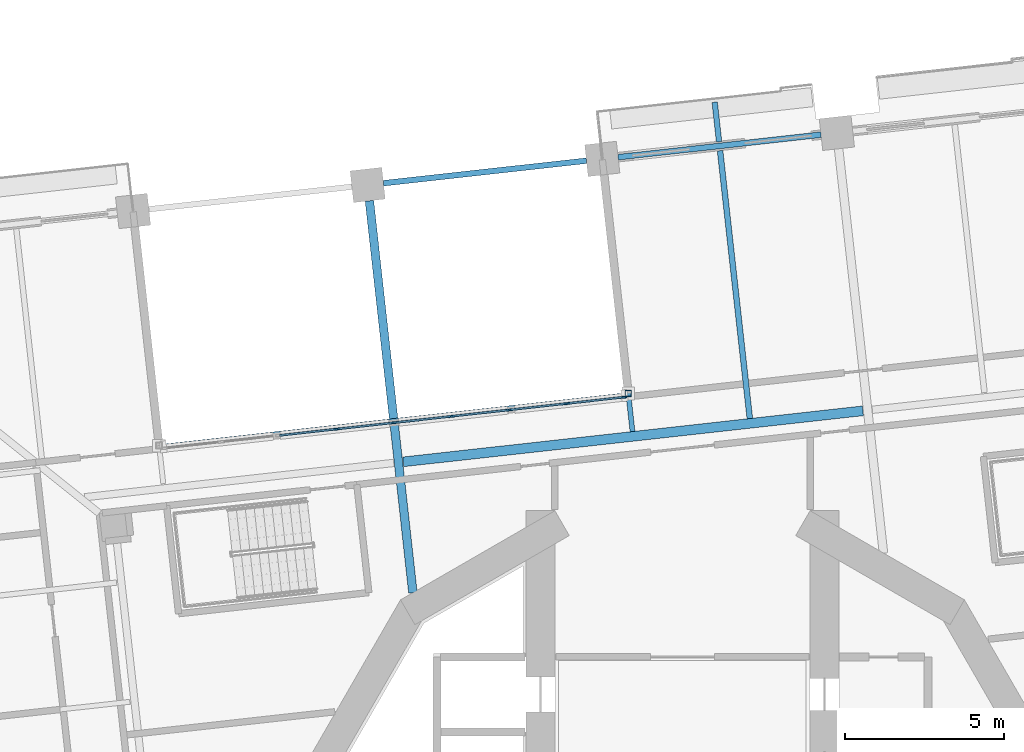
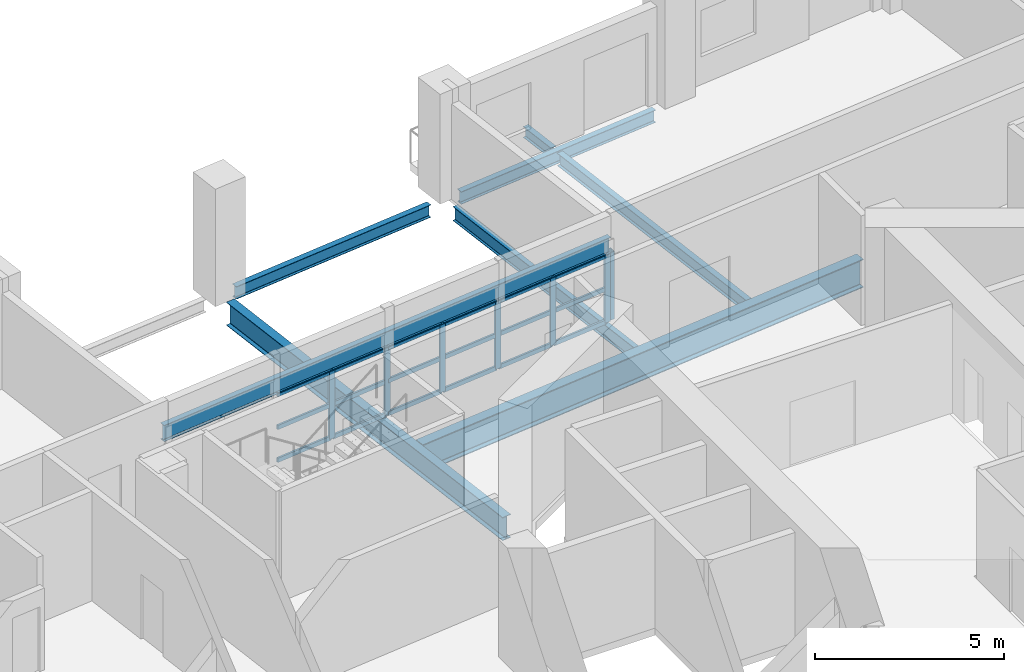
# One storey, part 4 of 21: 25 members, 8 beams, 1 element without a shape of its own.
"""IFC4 building model written with IfcOpenShell, lengths in metres."""

from ifc_helpers import new_model, si_unit, direction, frame, origin, origin_2d, place, context, subcontext, project, spatial, rectangle, hollow_rectangle, i_section, extrude, material, material_profile, profile_set, type_object, element, aggregate, save


model = new_model("IFC4")

# Units and contexts
model_context = context("Model", 3, precision=1e-05, world=origin(), true_north=direction((0.0, 1.0)))
body_context = subcontext(model_context, "Body", "Model", "MODEL_VIEW")
ifc_project = project(units=[si_unit("LENGTHUNIT", "METRE"), si_unit("AREAUNIT", "SQUARE_METRE"), si_unit("VOLUMEUNIT", "CUBIC_METRE"), si_unit("PLANEANGLEUNIT", "RADIAN"), si_unit("MASSUNIT", "GRAM", prefix="KILO")], contexts=[model_context])

# Site, building, storey
site_placement = place(None, origin())
site = spatial("IfcSite", under=ifc_project, at=site_placement, CompositionType="ELEMENT")
building_placement = place(site_placement, origin())
building = spatial("IfcBuilding", under=site, at=building_placement, Name="Cantera Rosa Tower", CompositionType="ELEMENT")
storey_placement = place(building_placement, frame((0.0, 0.0, 61.5)))
storey = spatial("IfcBuildingStorey", under=building, at=storey_placement, Name="L12", CompositionType="ELEMENT", Elevation=61.5)

# Curtain wall, members
ifc_material_1 = material(Name="Aluminium frame with clear glass", Category="aluminium")
curtain_wall_type = type_object("IfcCurtainWallType", Name="CW1 TERRACE POCKET GLAZING", PredefinedType="NOTDEFINED", material=ifc_material_1)
curtain_wall_placement = place(storey_placement, origin())
curtain_wall = element("IfcCurtainWall", 1, at=curtain_wall_placement, inside=storey, type_object=curtain_wall_type, Name="CW1 CW1", PredefinedType="NOTDEFINED")
ifc_material_2 = material(Name="Anodised bronze aluminium", Category="aluminium")
ifc_material_profile_1 = material_profile(ifc_material_2, rectangle(XDim=0.06005859375, YDim=0.179931640625, at=origin_2d()), Name="CW-MULLION 60x180 POCKET")
ifc_profile_set_1 = profile_set([ifc_material_profile_1], Name="Anodised bronze aluminium")
member_type_1 = type_object("IfcMemberType", Name="CW-MULLION 60x180 POCKET", PredefinedType="MULLION", material=ifc_profile_set_1)
member_1_placement = place(storey_placement, frame((-1.841796875, 15.189453125, 0.0), z_axis=(0.0, 0.0, 1.0), x_axis=(0.110312555543, -0.993896946413, 0.0)))
member_1 = element("IfcMember", 2, at=member_1_placement, type_object=member_type_1, Name="CW1 mullion 1", PredefinedType="MULLION", context=body_context, shape_type="SweptSolid", body=[
    extrude(rectangle(XDim=0.06005859375, YDim=0.179931640625, at=origin_2d()), origin(), (0.0, 0.0, 1.0), 2.18603515625),
])
member_2_placement = place(storey_placement, frame((-3.61962890625, 14.9921875, 0.0), z_axis=(0.0, 0.0, 1.0), x_axis=(0.110312555543, -0.993896946413, 0.0)))
member_2 = element("IfcMember", 3, at=member_2_placement, type_object=member_type_1, Name="CW1 mullion 2", PredefinedType="MULLION", context=body_context, shape_type="SweptSolid", body=[
    extrude(rectangle(XDim=0.06005859375, YDim=0.179931640625, at=origin_2d()), origin(), (0.0, 0.0, 1.0), 2.18603515625),
])
member_3_placement = place(storey_placement, frame((-5.42724609375, 14.79150390625, 0.0), z_axis=(0.0, 0.0, 1.0), x_axis=(0.110312555543, -0.993896946413, 0.0)))
member_3 = element("IfcMember", 4, at=member_3_placement, type_object=member_type_1, Name="CW1 mullion 3", PredefinedType="MULLION", context=body_context, shape_type="SweptSolid", body=[
    extrude(rectangle(XDim=0.06005859375, YDim=0.179931640625, at=origin_2d()), origin(), (0.0, 0.0, 1.0), 2.18603515625),
])
member_4_placement = place(storey_placement, frame((-7.23486328125, 14.5908203125, 0.0), z_axis=(0.0, 0.0, 1.0), x_axis=(0.110312555543, -0.993896946413, 0.0)))
member_4 = element("IfcMember", 5, at=member_4_placement, type_object=member_type_1, Name="CW1 mullion 4", PredefinedType="MULLION", context=body_context, shape_type="SweptSolid", body=[
    extrude(rectangle(XDim=0.06005859375, YDim=0.179931640625, at=origin_2d()), origin(), (0.0, 0.0, 1.0), 2.18603515625),
])
member_5_placement = place(storey_placement, frame((-9.042724609375, 14.390380859375, 0.0), z_axis=(0.0, 0.0, 1.0), x_axis=(0.110312555543, -0.993896946413, 0.0)))
member_5 = element("IfcMember", 6, at=member_5_placement, type_object=member_type_1, Name="CW1 mullion 5", PredefinedType="MULLION", context=body_context, shape_type="SweptSolid", body=[
    extrude(rectangle(XDim=0.06005859375, YDim=0.179931640625, at=origin_2d()), origin(), (0.0, 0.0, 1.0), 2.18603515625),
])
member_6_placement = place(storey_placement, frame((-10.850341796875, 14.189697265625, 0.0), z_axis=(0.0, 0.0, 1.0), x_axis=(0.110312555543, -0.993896946413, 0.0)))
member_6 = element("IfcMember", 7, at=member_6_placement, type_object=member_type_1, Name="CW1 mullion 6", PredefinedType="MULLION", context=body_context, shape_type="SweptSolid", body=[
    extrude(rectangle(XDim=0.06005859375, YDim=0.179931640625, at=origin_2d()), origin(), (0.0, 0.0, 1.0), 2.18603515625),
])
ifc_material_3 = material(Name="Anodised bronze aluminium", Category="aluminium")
ifc_material_profile_2 = material_profile(ifc_material_3, rectangle(XDim=0.06005859375, YDim=0.139892578125, at=origin_2d()), Name="CW-TRANSOM 60x140 POCKET")
ifc_profile_set_2 = profile_set([ifc_material_profile_2], Name="Anodised bronze aluminium")
member_type_2 = type_object("IfcMemberType", Name="CW-TRANSOM 60x140 POCKET", PredefinedType="USERDEFINED", material=ifc_profile_set_2)
member_7_placement = place(storey_placement, frame((-1.87158203125, 15.186279296875, 0.030029296875), z_axis=(-0.993899224529, -0.110292028184, 0.0), x_axis=(0.110292028184, -0.993899224529, 0.0)))
member_7 = element("IfcMember", 8, at=member_7_placement, type_object=member_type_2, Name="CW1 transom 1.1", ObjectType="TRANSOM", PredefinedType="USERDEFINED", context=body_context, shape_type="SweptSolid", body=[
    extrude(rectangle(XDim=0.06005859375, YDim=0.139892578125, at=origin_2d()), origin(), (0.0, 0.0, 1.0), 1.728759765625),
])
member_8_placement = place(storey_placement, frame((-1.87158203125, 15.186279296875, 1.093017578125), z_axis=(-0.993899224529, -0.110292028184, 0.0), x_axis=(0.110292028184, -0.993899224529, 0.0)))
member_8 = element("IfcMember", 9, at=member_8_placement, type_object=member_type_2, Name="CW1 transom 1.2", ObjectType="TRANSOM", PredefinedType="USERDEFINED", context=body_context, shape_type="SweptSolid", body=[
    extrude(rectangle(XDim=0.06005859375, YDim=0.139892578125, at=origin_2d()), origin(), (0.0, 0.0, 1.0), 1.728759765625),
])
member_9_placement = place(storey_placement, frame((-1.87158203125, 15.186279296875, 2.156005859375), z_axis=(-0.993899224529, -0.110292028184, 0.0), x_axis=(0.110292028184, -0.993899224529, 0.0)))
member_9 = element("IfcMember", 10, at=member_9_placement, type_object=member_type_2, Name="CW1 transom 1.3", ObjectType="TRANSOM", PredefinedType="USERDEFINED", context=body_context, shape_type="SweptSolid", body=[
    extrude(rectangle(XDim=0.06005859375, YDim=0.139892578125, at=origin_2d()), origin(), (0.0, 0.0, 1.0), 1.728759765625),
])
member_10_placement = place(storey_placement, frame((-3.6494140625, 14.989013671875, 0.030029296875), z_axis=(-0.993892195886, -0.110355348566, 0.0), x_axis=(0.110355348566, -0.993892195886, 0.0)))
member_10 = element("IfcMember", 11, at=member_10_placement, type_object=member_type_2, Name="CW1 transom 2.1", ObjectType="TRANSOM", PredefinedType="USERDEFINED", context=body_context, shape_type="SweptSolid", body=[
    extrude(rectangle(XDim=0.06005859375, YDim=0.139892578125, at=origin_2d()), origin(), (0.0, 0.0, 1.0), 1.7587890625),
])
member_11_placement = place(storey_placement, frame((-3.6494140625, 14.989013671875, 1.093017578125), z_axis=(-0.993892195886, -0.110355348566, 0.0), x_axis=(0.110355348566, -0.993892195886, 0.0)))
member_11 = element("IfcMember", 12, at=member_11_placement, type_object=member_type_2, Name="CW1 transom 2.2", ObjectType="TRANSOM", PredefinedType="USERDEFINED", context=body_context, shape_type="SweptSolid", body=[
    extrude(rectangle(XDim=0.06005859375, YDim=0.139892578125, at=origin_2d()), origin(), (0.0, 0.0, 1.0), 1.7587890625),
])
member_12_placement = place(storey_placement, frame((-3.6494140625, 14.989013671875, 2.156005859375), z_axis=(-0.993892195886, -0.110355348566, 0.0), x_axis=(0.110355348566, -0.993892195886, 0.0)))
member_12 = element("IfcMember", 13, at=member_12_placement, type_object=member_type_2, Name="CW1 transom 2.3", ObjectType="TRANSOM", PredefinedType="USERDEFINED", context=body_context, shape_type="SweptSolid", body=[
    extrude(rectangle(XDim=0.06005859375, YDim=0.139892578125, at=origin_2d()), origin(), (0.0, 0.0, 1.0), 1.7587890625),
])
member_13_placement = place(storey_placement, frame((-5.45703125, 14.788330078125, 0.030029296875), z_axis=(-0.993892195886, -0.110355348566, 0.0), x_axis=(0.110355348566, -0.993892195886, 0.0)))
member_13 = element("IfcMember", 14, at=member_13_placement, type_object=member_type_2, Name="CW1 transom 3.1", ObjectType="TRANSOM", PredefinedType="USERDEFINED", context=body_context, shape_type="SweptSolid", body=[
    extrude(rectangle(XDim=0.06005859375, YDim=0.139892578125, at=origin_2d()), origin(), (0.0, 0.0, 1.0), 1.7587890625),
])
member_14_placement = place(storey_placement, frame((-5.45703125, 14.788330078125, 1.093017578125), z_axis=(-0.993892195886, -0.110355348566, 0.0), x_axis=(0.110355348566, -0.993892195886, 0.0)))
member_14 = element("IfcMember", 15, at=member_14_placement, type_object=member_type_2, Name="CW1 transom 3.2", ObjectType="TRANSOM", PredefinedType="USERDEFINED", context=body_context, shape_type="SweptSolid", body=[
    extrude(rectangle(XDim=0.06005859375, YDim=0.139892578125, at=origin_2d()), origin(), (0.0, 0.0, 1.0), 1.7587890625),
])
member_15_placement = place(storey_placement, frame((-5.45703125, 14.788330078125, 2.156005859375), z_axis=(-0.993892195886, -0.110355348566, 0.0), x_axis=(0.110355348566, -0.993892195886, 0.0)))
member_15 = element("IfcMember", 16, at=member_15_placement, type_object=member_type_2, Name="CW1 transom 3.3", ObjectType="TRANSOM", PredefinedType="USERDEFINED", context=body_context, shape_type="SweptSolid", body=[
    extrude(rectangle(XDim=0.06005859375, YDim=0.139892578125, at=origin_2d()), origin(), (0.0, 0.0, 1.0), 1.7587890625),
])
member_16_placement = place(storey_placement, frame((-7.264892578125, 14.587646484375, 0.030029296875), z_axis=(-0.993890505044, -0.11037057571, 0.0), x_axis=(0.11037057571, -0.993890505044, 0.0)))
member_16 = element("IfcMember", 17, at=member_16_placement, type_object=member_type_2, Name="CW1 transom 4.1", ObjectType="TRANSOM", PredefinedType="USERDEFINED", context=body_context, shape_type="SweptSolid", body=[
    extrude(rectangle(XDim=0.06005859375, YDim=0.139892578125, at=origin_2d()), origin(), (0.0, 0.0, 1.0), 1.758544921875),
])
member_17_placement = place(storey_placement, frame((-7.264892578125, 14.587646484375, 1.093017578125), z_axis=(-0.993890505044, -0.11037057571, 0.0), x_axis=(0.11037057571, -0.993890505044, 0.0)))
member_17 = element("IfcMember", 18, at=member_17_placement, type_object=member_type_2, Name="CW1 transom 4.2", ObjectType="TRANSOM", PredefinedType="USERDEFINED", context=body_context, shape_type="SweptSolid", body=[
    extrude(rectangle(XDim=0.06005859375, YDim=0.139892578125, at=origin_2d()), origin(), (0.0, 0.0, 1.0), 1.758544921875),
])
member_18_placement = place(storey_placement, frame((-7.264892578125, 14.587646484375, 2.156005859375), z_axis=(-0.993890505044, -0.11037057571, 0.0), x_axis=(0.11037057571, -0.993890505044, 0.0)))
member_18 = element("IfcMember", 19, at=member_18_placement, type_object=member_type_2, Name="CW1 transom 4.3", ObjectType="TRANSOM", PredefinedType="USERDEFINED", context=body_context, shape_type="SweptSolid", body=[
    extrude(rectangle(XDim=0.06005859375, YDim=0.139892578125, at=origin_2d()), origin(), (0.0, 0.0, 1.0), 1.758544921875),
])
member_19_placement = place(storey_placement, frame((-9.072509765625, 14.386962890625, 0.030029296875), z_axis=(-0.993892195886, -0.110355348566, 0.0), x_axis=(0.110355348566, -0.993892195886, 0.0)))
member_19 = element("IfcMember", 20, at=member_19_placement, type_object=member_type_2, Name="CW1 transom 5.1", ObjectType="TRANSOM", PredefinedType="USERDEFINED", context=body_context, shape_type="SweptSolid", body=[
    extrude(rectangle(XDim=0.06005859375, YDim=0.139892578125, at=origin_2d()), origin(), (0.0, 0.0, 1.0), 1.7587890625),
])
member_20_placement = place(storey_placement, frame((-9.072509765625, 14.386962890625, 1.093017578125), z_axis=(-0.993892195886, -0.110355348566, 0.0), x_axis=(0.110355348566, -0.993892195886, 0.0)))
member_20 = element("IfcMember", 21, at=member_20_placement, type_object=member_type_2, Name="CW1 transom 5.2", ObjectType="TRANSOM", PredefinedType="USERDEFINED", context=body_context, shape_type="SweptSolid", body=[
    extrude(rectangle(XDim=0.06005859375, YDim=0.139892578125, at=origin_2d()), origin(), (0.0, 0.0, 1.0), 1.7587890625),
])
member_21_placement = place(storey_placement, frame((-9.072509765625, 14.386962890625, 2.156005859375), z_axis=(-0.993892195886, -0.110355348566, 0.0), x_axis=(0.110355348566, -0.993892195886, 0.0)))
member_21 = element("IfcMember", 22, at=member_21_placement, type_object=member_type_2, Name="CW1 transom 5.3", ObjectType="TRANSOM", PredefinedType="USERDEFINED", context=body_context, shape_type="SweptSolid", body=[
    extrude(rectangle(XDim=0.06005859375, YDim=0.139892578125, at=origin_2d()), origin(), (0.0, 0.0, 1.0), 1.7587890625),
])
member_22_placement = place(storey_placement, frame((-10.880126953125, 14.186279296875, 0.030029296875), z_axis=(-0.993907411717, -0.110218224148, 0.0), x_axis=(0.110218224148, -0.993907411717, 0.0)))
member_22 = element("IfcMember", 23, at=member_22_placement, type_object=member_type_2, Name="CW1 transom 6.1", ObjectType="TRANSOM", PredefinedType="USERDEFINED", context=body_context, shape_type="SweptSolid", body=[
    extrude(rectangle(XDim=0.06005859375, YDim=0.139892578125, at=origin_2d()), origin(), (0.0, 0.0, 1.0), 1.7587890625),
])
member_23_placement = place(storey_placement, frame((-10.880126953125, 14.186279296875, 1.093017578125), z_axis=(-0.993907411717, -0.110218224148, 0.0), x_axis=(0.110218224148, -0.993907411717, 0.0)))
member_23 = element("IfcMember", 24, at=member_23_placement, type_object=member_type_2, Name="CW1 transom 6.2", ObjectType="TRANSOM", PredefinedType="USERDEFINED", context=body_context, shape_type="SweptSolid", body=[
    extrude(rectangle(XDim=0.06005859375, YDim=0.139892578125, at=origin_2d()), origin(), (0.0, 0.0, 1.0), 1.7587890625),
])
member_24_placement = place(storey_placement, frame((-10.880126953125, 14.186279296875, 2.156005859375), z_axis=(-0.993907411717, -0.110218224148, 0.0), x_axis=(0.110218224148, -0.993907411717, 0.0)))
member_24 = element("IfcMember", 25, at=member_24_placement, type_object=member_type_2, Name="CW1 transom 6.3", ObjectType="TRANSOM", PredefinedType="USERDEFINED", context=body_context, shape_type="SweptSolid", body=[
    extrude(rectangle(XDim=0.06005859375, YDim=0.139892578125, at=origin_2d()), origin(), (0.0, 0.0, 1.0), 1.7587890625),
])
aggregate(curtain_wall, [member_1, member_2, member_3, member_4, member_5, member_6, member_7, member_8, member_9, member_10, member_11, member_12, member_13, member_14, member_15, member_16, member_17, member_18, member_19, member_20, member_21, member_22, member_23, member_24])

# Member
ifc_material_4 = material(Name="Steel ASTM A992 (Fy 345 MPa)", Category="steel")
ifc_material_profile_3 = material_profile(ifc_material_4, hollow_rectangle(XDim=0.199951171875, YDim=0.199951171875, WallThickness=0.010009765625, at=origin_2d()), Name="LINTEL POST RHS 200x200x10")
ifc_profile_set_3 = profile_set([ifc_material_profile_3], Name="Steel ASTM A992 (Fy 345 MPa)")
member_type_3 = type_object("IfcMemberType", Name="LINTEL POST RHS 200x200x10", PredefinedType="USERDEFINED", material=ifc_profile_set_3)
member_25_placement = place(storey_placement, frame((-1.69873046875, 15.305908203125, 0.0), z_axis=(0.0, 0.0, 1.0), x_axis=(1.0, 0.0, 0.0)))
element("IfcMember", 26, at=member_25_placement, inside=storey, type_object=member_type_3, Name="LINTEL POST L12-1", ObjectType="LINTEL POST", PredefinedType="USERDEFINED", context=body_context, shape_type="SweptSolid", body=[
    extrude(hollow_rectangle(XDim=0.199951171875, YDim=0.199951171875, WallThickness=0.010009765625, at=origin_2d()), origin(), (0.0, 0.0, 1.0), 2.18798828125),
])

# Beams
ifc_material_5 = material(Name="Steel ASTM A992 (Fy 345 MPa)", Category="steel")
ifc_material_profile_4 = material_profile(ifc_material_5, i_section(OverallWidth=0.154052734375, OverallDepth=0.4599609375, WebThickness=0.009033203125, FlangeThickness=0.015380859375, FilletRadius=0.01025390625, at=origin_2d()), Name="W460X68")
ifc_profile_set_4 = profile_set([ifc_material_profile_4], Name="Steel ASTM A992 (Fy 345 MPa)")
beam_type_1 = type_object("IfcBeamType", Name="STEEL BEAM W460X68", PredefinedType="BEAM", material=ifc_profile_set_4)
beam_1_placement = place(storey_placement, frame((-2.4599609375, 22.163818359375, -0.47998046875), z_axis=(0.110315740112, -0.993896592953, 0.0), x_axis=(0.993896592953, 0.110315740112, 0.0)))
element("IfcBeam", 27, at=beam_1_placement, inside=storey, type_object=beam_type_1, Name="G-Z1-07 L12", PredefinedType="BEAM", context=body_context, shape_type="SweptSolid", body=[
    extrude(i_section(OverallWidth=0.154052734375, OverallDepth=0.4599609375, WebThickness=0.009033203125, FlangeThickness=0.015380859375, FilletRadius=0.01025390625, at=origin_2d()), origin(), (0.0, 0.0, 1.0), 8.099853515625),
])
ifc_material_6 = material(Name="Steel ASTM A992 (Fy 345 MPa)", Category="steel")
ifc_material_profile_5 = material_profile(ifc_material_6, i_section(OverallWidth=0.166015625, OverallDepth=0.528076171875, WebThickness=0.009765625, FlangeThickness=0.013671875, FilletRadius=0.0126953125, at=origin_2d()), Name="W530X74")
ifc_profile_set_5 = profile_set([ifc_material_profile_5], Name="Steel ASTM A992 (Fy 345 MPa)")
beam_type_2 = type_object("IfcBeamType", Name="STEEL BEAM W530X74", PredefinedType="BEAM", material=ifc_profile_set_5)
beam_2_placement = place(storey_placement, frame((-1.742919921875, 15.250732421875, 2.451904296875), z_axis=(-0.993897094914, -0.110311217573, 0.0), x_axis=(0.110311217573, -0.993897094914, 0.0)))
element("IfcBeam", 28, at=beam_2_placement, inside=storey, type_object=beam_type_2, Name="LINTEL SL-L12", PredefinedType="BEAM", context=body_context, shape_type="SweptSolid", body=[
    extrude(i_section(OverallWidth=0.166015625, OverallDepth=0.528076171875, WebThickness=0.009765625, FlangeThickness=0.013671875, FilletRadius=0.0126953125, at=origin_2d()), origin(), (0.0, 0.0, 1.0), 14.699951171875),
])
ifc_material_7 = material(Name="Steel ASTM A992 (Fy 345 MPa)", Category="steel")
ifc_material_profile_6 = material_profile(ifc_material_7, i_section(OverallWidth=0.26708984375, OverallDepth=0.75390625, WebThickness=0.01318359375, FlangeThickness=0.01708984375, FilletRadius=0.0166015625, at=origin_2d()), Name="W760X147")
ifc_profile_set_6 = profile_set([ifc_material_profile_6], Name="Steel ASTM A992 (Fy 345 MPa)")
beam_type_3 = type_object("IfcBeamType", Name="STEEL BEAM W760X147", PredefinedType="BEAM", material=ifc_profile_set_6)
beam_3_placement = place(storey_placement, frame((-9.814697265625, 21.34765625, -0.626953125), z_axis=(0.110292782244, -0.993899140851, 0.0), x_axis=(0.993899140851, 0.110292782244, 0.0)))
element("IfcBeam", 29, at=beam_3_placement, inside=storey, type_object=beam_type_3, Name="G-Z1-08 L12", PredefinedType="BEAM", context=body_context, shape_type="SweptSolid", body=[
    extrude(i_section(OverallWidth=0.26708984375, OverallDepth=0.75390625, WebThickness=0.01318359375, FlangeThickness=0.01708984375, FilletRadius=0.0166015625, at=origin_2d()), origin(), (0.0, 0.0, 1.0), 12.360595703125),
])
ifc_material_8 = material(Name="Steel ASTM A992 (Fy 345 MPa)", Category="steel")
ifc_material_profile_7 = material_profile(ifc_material_8, i_section(OverallWidth=0.304931640625, OverallDepth=0.9189453125, WebThickness=0.017333984375, FlangeThickness=0.02783203125, FilletRadius=0.01904296875, at=origin_2d()), Name="W920X253")
ifc_profile_set_7 = profile_set([ifc_material_profile_7], Name="Steel ASTM A992 (Fy 345 MPa)")
beam_type_4 = type_object("IfcBeamType", Name="STEEL BEAM W920X253", PredefinedType="BEAM", material=ifc_profile_set_7)
beam_4_placement = place(storey_placement, frame((-8.755615234375, 13.16455078125, -0.70947265625), z_axis=(0.993898099692, 0.110302164209, 0.0), x_axis=(-0.110302164209, 0.993898099692, 0.0)))
element("IfcBeam", 30, at=beam_4_placement, inside=storey, type_object=beam_type_4, Name="RB-Z1-02 L12", PredefinedType="BEAM", context=body_context, shape_type="SweptSolid", body=[
    extrude(i_section(OverallWidth=0.304931640625, OverallDepth=0.9189453125, WebThickness=0.017333984375, FlangeThickness=0.02783203125, FilletRadius=0.01904296875, at=origin_2d()), origin(), (0.0, 0.0, 1.0), 14.499755859375),
])
ifc_material_9 = material(Name="Steel ASTM A992 (Fy 345 MPa)", Category="steel")
ifc_material_profile_8 = material_profile(ifc_material_9, i_section(OverallWidth=0.1708984375, OverallDepth=0.35595703125, WebThickness=0.00732421875, FlangeThickness=0.01171875, FilletRadius=0.010009765625, at=origin_2d()), Name="W360X51")
ifc_profile_set_8 = profile_set([ifc_material_profile_8], Name="Steel ASTM A992 (Fy 345 MPa)")
beam_type_5 = type_object("IfcBeamType", Name="STEEL JOIST W360X51", PredefinedType="JOIST", material=ifc_profile_set_8)
beam_5_placement = place(storey_placement, frame((1.14794921875, 23.1982421875, -0.427978515625), z_axis=(-0.110345783203, 0.993893257915, 0.0), x_axis=(-0.993893257915, -0.110345783203, 0.0)))
element("IfcBeam", 31, at=beam_5_placement, inside=storey, type_object=beam_type_5, Name="BS-Z1-09 L12", PredefinedType="JOIST", context=body_context, shape_type="SweptSolid", body=[
    extrude(i_section(OverallWidth=0.1708984375, OverallDepth=0.35595703125, WebThickness=0.00732421875, FlangeThickness=0.01171875, FilletRadius=0.010009765625, at=origin_2d()), origin(), (0.0, 0.0, 1.0), 1.25),
])
ifc_material_10 = material(Name="Steel ASTM A992 (Fy 345 MPa)", Category="steel")
ifc_material_profile_9 = material_profile(ifc_material_10, i_section(OverallWidth=0.177978515625, OverallDepth=0.406005859375, WebThickness=0.0078125, FlangeThickness=0.0126953125, FilletRadius=0.01025390625, at=origin_2d()), Name="W410X60")
ifc_profile_set_9 = profile_set([ifc_material_profile_9], Name="Steel ASTM A992 (Fy 345 MPa)")
beam_type_6 = type_object("IfcBeamType", Name="STEEL JOIST W410X60", PredefinedType="JOIST", material=ifc_profile_set_9)
beam_6_placement = place(storey_placement, frame((1.178955078125, 22.919921875, -0.452880859375), z_axis=(0.110311022989, -0.99389711651, 0.0), x_axis=(0.99389711651, 0.110311022989, 0.0)))
element("IfcBeam", 32, at=beam_6_placement, inside=storey, type_object=beam_type_6, Name="B-Z1-08 L12", PredefinedType="JOIST", context=body_context, shape_type="SweptSolid", body=[
    extrude(i_section(OverallWidth=0.177978515625, OverallDepth=0.406005859375, WebThickness=0.0078125, FlangeThickness=0.0126953125, FilletRadius=0.01025390625, at=origin_2d()), origin(), (0.0, 0.0, 1.0), 8.449951171875),
])
ifc_material_11 = material(Name="Steel ASTM A992 (Fy 345 MPa)", Category="steel")
ifc_material_profile_10 = material_profile(ifc_material_11, i_section(OverallWidth=0.177978515625, OverallDepth=0.406005859375, WebThickness=0.0078125, FlangeThickness=0.0126953125, FilletRadius=0.01025390625, at=origin_2d()), Name="W410X60")
ifc_profile_set_10 = profile_set([ifc_material_profile_10], Name="Steel ASTM A992 (Fy 345 MPa)")
beam_type_7 = type_object("IfcBeamType", Name="STEEL SPANDREL BEAM W410X60", PredefinedType="SPANDREL", material=ifc_profile_set_10)
beam_7_placement = place(storey_placement, frame((4.3427734375, 23.422119140625, -0.452880859375), z_axis=(-0.993895824271, -0.110322665379, 0.0), x_axis=(0.110322665379, -0.993895824271, 0.0)))
element("IfcBeam", 33, at=beam_7_placement, inside=storey, type_object=beam_type_7, Name="EB-Z1-10 L12", PredefinedType="SPANDREL", context=body_context, shape_type="SweptSolid", body=[
    extrude(i_section(OverallWidth=0.177978515625, OverallDepth=0.406005859375, WebThickness=0.0078125, FlangeThickness=0.0126953125, FilletRadius=0.01025390625, at=origin_2d()), origin(), (0.0, 0.0, 1.0), 6.39990234375),
])
beam_8_placement = place(storey_placement, frame((-3.011962890625, 22.605712890625, -0.452880859375), z_axis=(-0.993896288542, -0.110318482689, 0.0), x_axis=(0.110318482689, -0.993896288542, 0.0)))
element("IfcBeam", 34, at=beam_8_placement, inside=storey, type_object=beam_type_7, Name="EB-Z1-11 L12", PredefinedType="SPANDREL", context=body_context, shape_type="SweptSolid", body=[
    extrude(i_section(OverallWidth=0.177978515625, OverallDepth=0.406005859375, WebThickness=0.0078125, FlangeThickness=0.0126953125, FilletRadius=0.01025390625, at=origin_2d()), origin(), (0.0, 0.0, 1.0), 6.400146484375),
])

save(model, "model.ifc")
